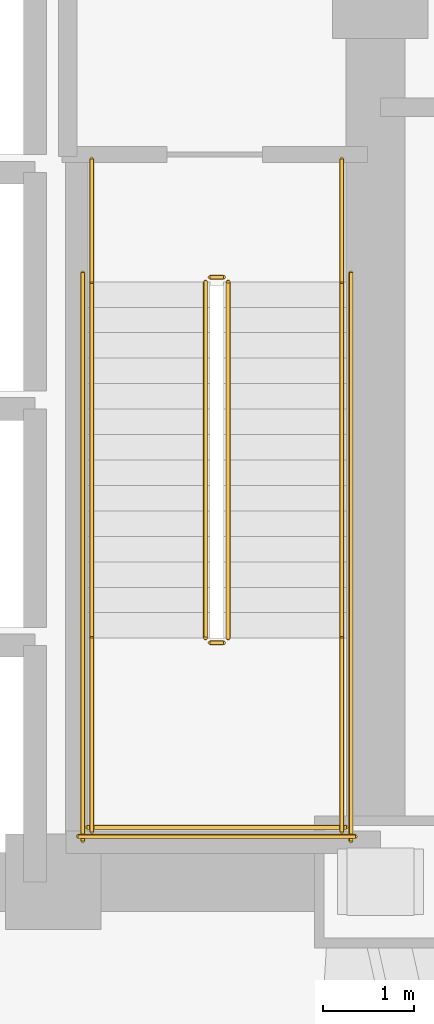
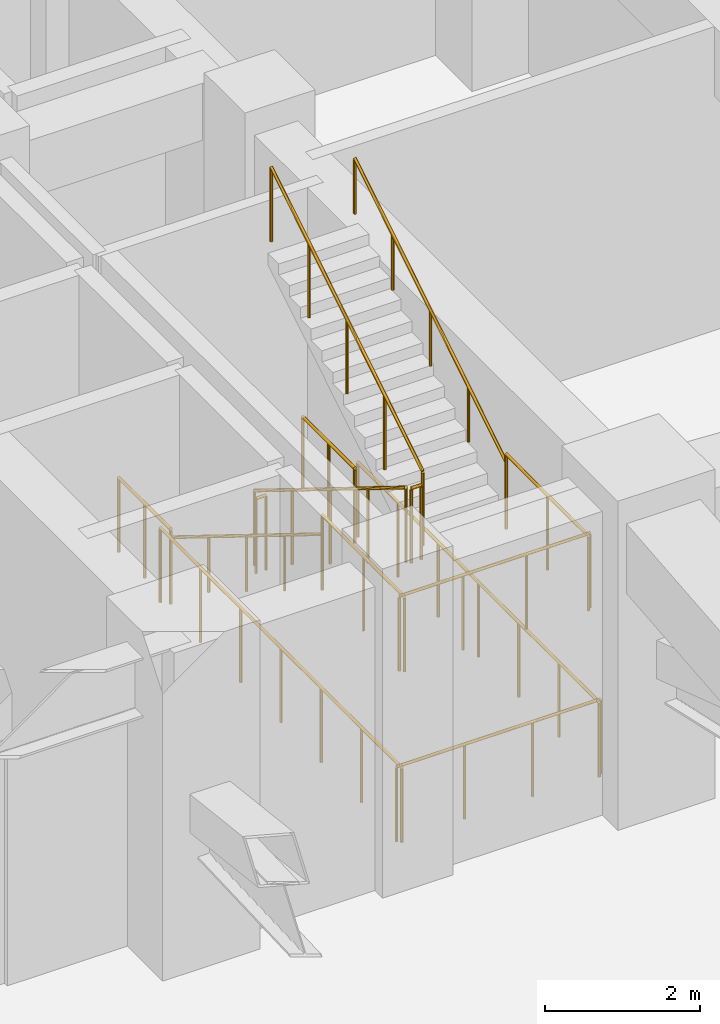
# One storey, part 9 of 9: 14 railings.
"""IFC4 building model written with IfcOpenShell, lengths in metres."""

import ifcopenshell
import ifcopenshell.guid

model = None  # the IFC model being written
_history = None  # IfcOwnerHistory: only IFC2X3 demands one
_inside = {}  # id of a spatial element -> (the spatial element, [elements in it])
_under = {}  # id of a project, library or spatial element -> (it, [spatial elements below it])
_declared = {}  # id of a project -> (the project, [libraries it declares])
_typed = {}  # id of a type object -> (the type object, [elements of that type])
_made_of = {}  # id of a material, layer set ... -> (it, [elements and type objects made of it])


def new_model(schema):
    """Start an empty IFC model of exactly this schema.

    Asked for "IFC4X3", IfcOpenShell would pick the latest addendum, in which some entities
    have other attributes; the version numbers below select the first issue.
    IFC2X3 requires an IfcOwnerHistory on every rooted entity: one is made here for all.
    """
    global model, _history
    if schema == "IFC4X3":
        model = ifcopenshell.file(schema_version=(4, 3, 0, 0))
    else:
        model = ifcopenshell.file(schema=schema)
    _inside.clear()
    _under.clear()
    _declared.clear()
    _typed.clear()
    _made_of.clear()
    _history = None
    if model.schema == "IFC2X3":
        org = make("IfcOrganization", Name="unknown")
        user = make(
            "IfcPersonAndOrganization",
            ThePerson=make("IfcPerson", FamilyName="unknown"),
            TheOrganization=org,
        )
        app = make(
            "IfcApplication",
            ApplicationDeveloper=org,
            Version="unknown",
            ApplicationFullName="unknown",
            ApplicationIdentifier="unknown",
        )
        _history = make(
            "IfcOwnerHistory",
            OwningUser=user,
            OwningApplication=app,
            ChangeAction="ADDED",
            CreationDate=0,
        )
    return model


def make(cls, **values):
    """One entity of the class cls with the attributes given. An attribute that is None is left unset."""
    return model.create_entity(
        cls, **{name: value for name, value in values.items() if value is not None}
    )


def rooted(cls, **values):
    """An entity with a GlobalId (a new one), such as an element, a storey or a relation."""
    return make(cls, GlobalId=ifcopenshell.guid.new(), OwnerHistory=_history, **values)


def si_unit(unit_type, name, prefix=None):
    """IfcSIUnit, for example si_unit("LENGTHUNIT", "METRE", prefix="MILLI")."""
    return make("IfcSIUnit", UnitType=unit_type, Prefix=prefix, Name=name)


def assignment(units):
    """IfcUnitAssignment: the units of a project."""
    return None if units is None else make("IfcUnitAssignment", Units=units)


def point(xyz):
    """IfcCartesianPoint."""
    return None if xyz is None else make("IfcCartesianPoint", Coordinates=xyz)


def direction(xyz):
    """IfcDirection."""
    return None if xyz is None else make("IfcDirection", DirectionRatios=xyz)


def frame(location, z_axis=None, x_axis=None):
    """IfcAxis2Placement3D, a coordinate frame: its origin and axes. An axis left out is left unset."""
    return make(
        "IfcAxis2Placement3D",
        Location=point(location),
        Axis=direction(z_axis),
        RefDirection=direction(x_axis),
    )


def frame_2d(location, x_axis=None):
    """IfcAxis2Placement2D, a coordinate frame in the plane: its origin and x axis."""
    return make(
        "IfcAxis2Placement2D", Location=point(location), RefDirection=direction(x_axis)
    )


def origin():
    """The frame at (0, 0, 0) with its axes left unset."""
    return frame((0.0, 0.0, 0.0))


def origin_2d():
    """The frame at (0, 0) in the plane with its x axis left unset."""
    return frame_2d((0.0, 0.0))


def place(relative_to, where):
    """IfcLocalPlacement: puts the frame where relative to a parent placement (None: the world)."""
    return make(
        "IfcLocalPlacement", PlacementRelTo=relative_to, RelativePlacement=where
    )


def context(
    kind, dimensions, precision=None, world=None, true_north=None, identifier=None
):
    """IfcGeometricRepresentationContext, for example the 3D "Model" context."""
    return make(
        "IfcGeometricRepresentationContext",
        ContextIdentifier=identifier,
        ContextType=kind,
        CoordinateSpaceDimension=dimensions,
        Precision=precision,
        WorldCoordinateSystem=world,
        TrueNorth=true_north,
    )


def subcontext(parent, identifier, kind, view, scale=None):
    """IfcGeometricRepresentationSubContext, for example "Body" below "Model"."""
    return make(
        "IfcGeometricRepresentationSubContext",
        ContextIdentifier=identifier,
        ContextType=kind,
        ParentContext=parent,
        TargetScale=scale,
        TargetView=view,
    )


def project(units=None, contexts=None):
    """IfcProject with its units and contexts."""
    return rooted(
        "IfcProject",
        Name="project",
        RepresentationContexts=contexts,
        UnitsInContext=assignment(units),
    )


def spatial(cls, under=None, at=None, **own):
    """A site, building, storey or space (cls), placed at a placement, below another one or the project."""
    s = rooted(cls, ObjectPlacement=at, **own)
    if under is not None:
        _under.setdefault(under.id(), (under, []))[1].append(s)
    return s


def profile(cls, at=None, kind="AREA", **sizes):
    """A parametric profile (cls). Its sizes go by their IFC names, for example OverallWidth=200.0."""
    return make(cls, ProfileType=kind, Position=at, **sizes)


def circle(**sizes):
    """IfcCircleProfileDef."""
    return profile("IfcCircleProfileDef", **sizes)


def extrude(swept, where, along, depth):
    """IfcExtrudedAreaSolid: the profile swept, set in the frame where, extruded along a direction by depth."""
    return make(
        "IfcExtrudedAreaSolid",
        SweptArea=swept,
        Position=where,
        ExtrudedDirection=direction(along),
        Depth=depth,
    )


def shape(context_of_items, identifier, shape_type, items):
    """IfcShapeRepresentation: the items that make up one representation, for example the "Body"."""
    return make(
        "IfcShapeRepresentation",
        ContextOfItems=context_of_items,
        RepresentationIdentifier=identifier,
        RepresentationType=shape_type,
        Items=items,
    )


def material(Name=None, Category=None):
    """IfcMaterial."""
    return make("IfcMaterial", Name=Name, Category=Category)


def made_of(thing, what):
    """Note that an element or type object is made of a material, layer set ...; save() writes the relation."""
    if what is not None:
        _made_of.setdefault(what.id(), (what, []))[1].append(thing)
    return thing


def type_object(cls, material=None, **own):
    """A type object (cls), such as IfcWallType, which elements share."""
    return made_of(rooted(cls, **own), material)


def element(
    cls,
    number,
    at=None,
    inside=None,
    cuts=None,
    type_object=None,
    material=None,
    context=None,
    identifier="Body",
    shape_type=None,
    held_by="IfcProductDefinitionShape",
    body=None,
    shapes=None,
    **own,
):
    """One element of the class cls, such as IfcWall. Its Tag is "e" and its number.

    at: its placement. inside: the storey or other place that contains it. cuts: it is an
    opening in that element (IfcRelVoidsElement). A single representation is given by context,
    identifier, shape_type and body (its items); several are given by shapes. held_by: the class
    of the entity that holds the representations. save() writes the other relations.
    """
    e = rooted(cls, Tag="e%d" % number, ObjectPlacement=at, **own)
    if body is not None:
        shapes = [shape(context, identifier, shape_type, body)]
    if shapes is not None:
        e.Representation = make(held_by, Representations=shapes)
    if inside is not None:
        _inside.setdefault(inside.id(), (inside, []))[1].append(e)
    if cuts is not None:
        rooted(
            "IfcRelVoidsElement", RelatingBuildingElement=cuts, RelatedOpeningElement=e
        )
    if type_object is not None:
        _typed.setdefault(type_object.id(), (type_object, []))[1].append(e)
    return made_of(e, material)


def aggregate(whole, parts):
    """IfcRelAggregates: a whole, such as a stair, and the parts it consists of."""
    return rooted("IfcRelAggregates", RelatingObject=whole, RelatedObjects=parts)


def save(model, path):
    """Write the relations noted so far, then the file.

    IfcRelAggregates (storeys below a building ...), IfcRelContainedInSpatialStructure (elements
    in a storey), IfcRelDefinesByType, IfcRelAssociatesMaterial and IfcRelDeclares: one each for
    every whole, place, type object, material and project.
    """
    for whole, parts in _under.values():
        aggregate(whole, parts)
    for where, things in _inside.values():
        rooted(
            "IfcRelContainedInSpatialStructure",
            RelatedElements=things,
            RelatingStructure=where,
        )
    for kind, things in _typed.values():
        rooted("IfcRelDefinesByType", RelatedObjects=things, RelatingType=kind)
    for what, things in _made_of.values():
        rooted("IfcRelAssociatesMaterial", RelatedObjects=things, RelatingMaterial=what)
    for by, libraries in _declared.values():
        rooted("IfcRelDeclares", RelatingContext=by, RelatedDefinitions=libraries)
    model.write(path)


model = new_model("IFC4")

# Units and contexts
model_context = context("Model", 3, precision=1e-05, world=origin(), true_north=direction((0.0, 1.0)))
body_context = subcontext(model_context, "Body", "Model", "MODEL_VIEW")
ifc_project = project(units=[si_unit("LENGTHUNIT", "METRE"), si_unit("AREAUNIT", "SQUARE_METRE"), si_unit("VOLUMEUNIT", "CUBIC_METRE"), si_unit("PLANEANGLEUNIT", "RADIAN"), si_unit("MASSUNIT", "GRAM", prefix="KILO")], contexts=[model_context])

# Site, building, storey
site_placement = place(None, origin())
site = spatial("IfcSite", under=ifc_project, at=site_placement, CompositionType="ELEMENT")
building_placement = place(site_placement, origin())
building = spatial("IfcBuilding", under=site, at=building_placement, Name="Voryun Gate Residences", CompositionType="ELEMENT")
storey_placement = place(building_placement, frame((0.0, 0.0, 80.60009765625)))
storey = spatial("IfcBuildingStorey", under=building, at=storey_placement, Name="L19", CompositionType="ELEMENT", Elevation=80.60009765625)

# Railings
ifc_material_1 = material(Name="Painted steel", Category="steel")
railing_type_1 = type_object("IfcRailingType", Name="RAIL_STAIR_GUARD_1200", PredefinedType="GUARDRAIL", material=ifc_material_1)
railing_1_placement = place(storey_placement, frame((17.27490234375, -0.800048828125, 0.17333984375)))
element("IfcRailing", 1, at=railing_1_placement, inside=storey, type_object=railing_type_1, Name="L19 ST-E1 stair guard 1", PredefinedType="GUARDRAIL", context=body_context, shape_type="SweptSolid", body=[
    extrude(circle(Radius=0.02392578125, at=origin_2d()), frame((0.0, 0.0, 1.17578125), z_axis=(0.0, -0.850275303828, 0.526338206574), x_axis=(1.0, 0.0, 0.0)), (0.0, 0.0, 1.0), 4.610107421875),
    extrude(circle(Radius=0.02099609375, at=origin_2d()), origin(), (0.0, 0.0, 1.0), 1.15185546875),
    extrude(circle(Radius=0.02099609375, at=origin_2d()), frame((0.0, -0.97998046875, 0.606689453125)), (0.0, 0.0, 1.0), 1.15185546875),
    extrude(circle(Radius=0.02099609375, at=origin_2d()), frame((0.0, -1.9599609375, 1.21337890625)), (0.0, 0.0, 1.0), 1.15185546875),
    extrude(circle(Radius=0.02099609375, at=origin_2d()), frame((0.0, -2.93994140625, 1.81982421875)), (0.0, 0.0, 1.0), 1.15185546875),
    extrude(circle(Radius=0.02099609375, at=origin_2d()), frame((0.0, -3.919921875, 2.426513671875)), (0.0, 0.0, 1.0), 1.15185546875),
])
railing_2_placement = place(storey_placement, frame((17.324951171875, -4.77001953125, 2.599853515625)))
element("IfcRailing", 2, at=railing_2_placement, inside=storey, type_object=railing_type_1, Name="L19 ST-E1 stair guard 2", PredefinedType="GUARDRAIL", context=body_context, shape_type="SweptSolid", body=[
    extrude(circle(Radius=0.02392578125, at=origin_2d()), frame((0.0, 0.0, 1.17578125), z_axis=(1.0, 0.0, 0.0), x_axis=(0.0, 1.0, 0.0)), (0.0, 0.0, 1.0), 0.150146484375),
    extrude(circle(Radius=0.02099609375, at=origin_2d()), origin(), (0.0, 0.0, 1.0), 1.15185546875),
    extrude(circle(Radius=0.02099609375, at=origin_2d()), frame((0.150146484375, 0.0, 0.0)), (0.0, 0.0, 1.0), 1.15185546875),
])
for number, where, name in (
    (3, (16.02490234375, -4.719970703125, 2.599853515625), "L19 ST-E1 stair guard 3"),
    (4, (18.77490234375, -4.719970703125, 2.599853515625), "L19 ST-E1 stair guard 4"),
):
    element("IfcRailing", number, at=place(storey_placement, frame(where)), inside=storey, type_object=railing_type_1, Name=name, PredefinedType="GUARDRAIL", context=body_context, shape_type="SweptSolid", body=[
        extrude(circle(Radius=0.02392578125, at=origin_2d()), frame((0.0, 0.0, 1.17578125), z_axis=(0.0, -1.0, 0.0), x_axis=(1.0, 0.0, 0.0)), (0.0, 0.0, 1.0), 2.130126953125),
        extrude(circle(Radius=0.02099609375, at=origin_2d()), origin(), (0.0, 0.0, 1.0), 1.15185546875),
        extrude(circle(Radius=0.02099609375, at=origin_2d()), frame((0.0, -1.06494140625, 0.0)), (0.0, 0.0, 1.0), 1.15185546875),
        extrude(circle(Radius=0.02099609375, at=origin_2d()), frame((0.0, -2.130126953125, 0.0)), (0.0, 0.0, 1.0), 1.15185546875),
    ])
railing_3_placement = place(storey_placement, frame((15.97509765625, -6.800048828125, 2.599853515625)))
element("IfcRailing", 5, at=railing_3_placement, inside=storey, type_object=railing_type_1, Name="L19 ST-E1 stair guard 5", PredefinedType="GUARDRAIL", context=body_context, shape_type="SweptSolid", body=[
    extrude(circle(Radius=0.02392578125, at=origin_2d()), frame((0.0, 0.0, 1.17578125), z_axis=(1.0, 0.0, 0.0), x_axis=(0.0, 1.0, 0.0)), (0.0, 0.0, 1.0), 2.849853515625),
    extrude(circle(Radius=0.02099609375, at=origin_2d()), origin(), (0.0, 0.0, 1.0), 1.15185546875),
    extrude(circle(Radius=0.02099609375, at=origin_2d()), frame((0.949951171875, 0.0, 0.0)), (0.0, 0.0, 1.0), 1.15185546875),
    extrude(circle(Radius=0.02099609375, at=origin_2d()), frame((1.89990234375, 0.0, 0.0)), (0.0, 0.0, 1.0), 1.15185546875),
    extrude(circle(Radius=0.02099609375, at=origin_2d()), frame((2.849853515625, 0.0, 0.0)), (0.0, 0.0, 1.0), 1.15185546875),
])
railing_4_placement = place(storey_placement, frame((17.52490234375, -4.719970703125, 2.773193359375)))
element("IfcRailing", 6, at=railing_4_placement, inside=storey, type_object=railing_type_1, Name="L19 ST-E1 stair guard 6", PredefinedType="GUARDRAIL", context=body_context, shape_type="SweptSolid", body=[
    extrude(circle(Radius=0.02392578125, at=origin_2d()), frame((0.0, 0.0, 1.17578125), z_axis=(0.0, 0.850251603719, 0.526376491091), x_axis=(-1.0, 0.0, 0.0)), (0.0, 0.0, 1.0), 4.6103515625),
    extrude(circle(Radius=0.02099609375, at=origin_2d()), origin(), (0.0, 0.0, 1.0), 1.15185546875),
    extrude(circle(Radius=0.02099609375, at=origin_2d()), frame((0.0, 0.97998046875, 0.606689453125)), (0.0, 0.0, 1.0), 1.15185546875),
    extrude(circle(Radius=0.02099609375, at=origin_2d()), frame((0.0, 1.9599609375, 1.21337890625)), (0.0, 0.0, 1.0), 1.15185546875),
    extrude(circle(Radius=0.02099609375, at=origin_2d()), frame((0.0, 2.93994140625, 1.820068359375)), (0.0, 0.0, 1.0), 1.15185546875),
    extrude(circle(Radius=0.02099609375, at=origin_2d()), frame((0.0, 3.919921875, 2.4267578125)), (0.0, 0.0, 1.0), 1.15185546875),
])
railing_5_placement = place(storey_placement, frame((17.324951171875, -0.75, 0.0)))
element("IfcRailing", 7, at=railing_5_placement, inside=storey, type_object=railing_type_1, Name="L19 ST-E1 stair guard 7", PredefinedType="GUARDRAIL", context=body_context, shape_type="SweptSolid", body=[
    extrude(circle(Radius=0.02392578125, at=origin_2d()), frame((0.0, 0.0, 1.17578125), z_axis=(1.0, 0.0, 0.0), x_axis=(0.0, 1.0, 0.0)), (0.0, 0.0, 1.0), 0.150146484375),
    extrude(circle(Radius=0.02099609375, at=origin_2d()), origin(), (0.0, 0.0, 1.0), 1.15185546875),
    extrude(circle(Radius=0.02099609375, at=origin_2d()), frame((0.150146484375, 0.0, 0.0)), (0.0, 0.0, 1.0), 1.15185546875),
])
for number, where, name in (
    (8, (16.02490234375, 0.550048828125, 0.0), "L19 ST-E1 stair guard 8"),
    (9, (18.77490234375, 0.550048828125, 0.0), "L19 ST-E1 stair guard 9"),
):
    element("IfcRailing", number, at=place(storey_placement, frame(where)), inside=storey, type_object=railing_type_1, Name=name, PredefinedType="GUARDRAIL", context=body_context, shape_type="SweptSolid", body=[
        extrude(circle(Radius=0.02392578125, at=origin_2d()), frame((0.0, 0.0, 1.17578125), z_axis=(0.0, -1.0, 0.0), x_axis=(1.0, 0.0, 0.0)), (0.0, 0.0, 1.0), 1.35009765625),
        extrude(circle(Radius=0.02099609375, at=origin_2d()), origin(), (0.0, 0.0, 1.0), 1.15185546875),
        extrude(circle(Radius=0.02099609375, at=origin_2d()), frame((0.0, -0.675048828125, 0.0)), (0.0, 0.0, 1.0), 1.15185546875),
        extrude(circle(Radius=0.02099609375, at=origin_2d()), frame((0.0, -1.35009765625, 0.0)), (0.0, 0.0, 1.0), 1.15185546875),
    ])
for number, where, name in (
    (10, (15.925048828125, -0.699951171875, 0.0), "L19 ST-E1 stair guard 10"),
    (11, (18.875, -0.699951171875, 0.0), "L19 ST-E1 stair guard 11"),
):
    element("IfcRailing", number, at=place(storey_placement, frame(where)), inside=storey, type_object=railing_type_1, Name=name, PredefinedType="GUARDRAIL", context=body_context, shape_type="SweptSolid", body=[
        extrude(circle(Radius=0.02392578125, at=origin_2d()), frame((0.0, 0.0, 1.17578125), z_axis=(0.0, -1.0, 0.0), x_axis=(1.0, 0.0, 0.0)), (0.0, 0.0, 1.0), 6.25),
        extrude(circle(Radius=0.02099609375, at=origin_2d()), origin(), (0.0, 0.0, 1.0), 1.15185546875),
        extrude(circle(Radius=0.02099609375, at=origin_2d()), frame((0.0, -1.041748046875, 0.0)), (0.0, 0.0, 1.0), 1.15185546875),
        extrude(circle(Radius=0.02099609375, at=origin_2d()), frame((0.0, -2.083251953125, 0.0)), (0.0, 0.0, 1.0), 1.15185546875),
        extrude(circle(Radius=0.02099609375, at=origin_2d()), frame((0.0, -3.125, 0.0)), (0.0, 0.0, 1.0), 1.15185546875),
        extrude(circle(Radius=0.02099609375, at=origin_2d()), frame((0.0, -4.166748046875, 0.0)), (0.0, 0.0, 1.0), 1.15185546875),
        extrude(circle(Radius=0.02099609375, at=origin_2d()), frame((0.0, -5.208251953125, 0.0)), (0.0, 0.0, 1.0), 1.15185546875),
        extrude(circle(Radius=0.02099609375, at=origin_2d()), frame((0.0, -6.25, 0.0)), (0.0, 0.0, 1.0), 1.15185546875),
    ])
railing_6_placement = place(storey_placement, frame((15.875, -6.89990234375, 0.0)))
element("IfcRailing", 12, at=railing_6_placement, inside=storey, type_object=railing_type_1, Name="L19 ST-E1 stair guard 12", PredefinedType="GUARDRAIL", context=body_context, shape_type="SweptSolid", body=[
    extrude(circle(Radius=0.02392578125, at=origin_2d()), frame((0.0, 0.0, 1.17578125), z_axis=(1.0, 0.0, 0.0), x_axis=(0.0, 1.0, 0.0)), (0.0, 0.0, 1.0), 3.050048828125),
    extrude(circle(Radius=0.02099609375, at=origin_2d()), origin(), (0.0, 0.0, 1.0), 1.15185546875),
    extrude(circle(Radius=0.02099609375, at=origin_2d()), frame((1.0166015625, 0.0, 0.0)), (0.0, 0.0, 1.0), 1.15185546875),
    extrude(circle(Radius=0.02099609375, at=origin_2d()), frame((2.033447265625, 0.0, 0.0)), (0.0, 0.0, 1.0), 1.15185546875),
    extrude(circle(Radius=0.02099609375, at=origin_2d()), frame((3.050048828125, 0.0, 0.0)), (0.0, 0.0, 1.0), 1.15185546875),
])
ifc_material_2 = material(Name="Painted steel", Category="steel")
railing_type_2 = type_object("IfcRailingType", Name="RAIL_STAIR_HANDRAIL_900", PredefinedType="HANDRAIL", material=ifc_material_2)
railing_7_placement = place(storey_placement, frame((16.02490234375, -0.800048828125, 0.17333984375)))
element("IfcRailing", 13, at=railing_7_placement, inside=storey, type_object=railing_type_2, Name="L19 ST-E1 stair handrail 1", PredefinedType="HANDRAIL", context=body_context, shape_type="SweptSolid", body=[
    extrude(circle(Radius=0.02392578125, at=origin_2d()), frame((0.0, 0.0, 0.8759765625), z_axis=(0.0, -0.850275303828, 0.526338206574), x_axis=(1.0, 0.0, 0.0)), (0.0, 0.0, 1.0), 4.610107421875),
    extrude(circle(Radius=0.02099609375, at=origin_2d()), origin(), (0.0, 0.0, 1.0), 0.851806640625),
    extrude(circle(Radius=0.02099609375, at=origin_2d()), frame((0.0, -0.97998046875, 0.606689453125)), (0.0, 0.0, 1.0), 0.851806640625),
    extrude(circle(Radius=0.02099609375, at=origin_2d()), frame((0.0, -1.9599609375, 1.21337890625)), (0.0, 0.0, 1.0), 0.851806640625),
    extrude(circle(Radius=0.02099609375, at=origin_2d()), frame((0.0, -2.93994140625, 1.81982421875)), (0.0, 0.0, 1.0), 0.851806640625),
    extrude(circle(Radius=0.02099609375, at=origin_2d()), frame((0.0, -3.919921875, 2.426513671875)), (0.0, 0.0, 1.0), 0.851806640625),
])
railing_8_placement = place(storey_placement, frame((18.77490234375, -4.719970703125, 2.773193359375)))
element("IfcRailing", 14, at=railing_8_placement, inside=storey, type_object=railing_type_2, Name="L19 ST-E1 stair handrail 2", PredefinedType="HANDRAIL", context=body_context, shape_type="SweptSolid", body=[
    extrude(circle(Radius=0.02392578125, at=origin_2d()), frame((0.0, 0.0, 0.8759765625), z_axis=(0.0, 0.850251603719, 0.526376491091), x_axis=(-1.0, 0.0, 0.0)), (0.0, 0.0, 1.0), 4.6103515625),
    extrude(circle(Radius=0.02099609375, at=origin_2d()), origin(), (0.0, 0.0, 1.0), 0.851806640625),
    extrude(circle(Radius=0.02099609375, at=origin_2d()), frame((0.0, 0.97998046875, 0.606689453125)), (0.0, 0.0, 1.0), 0.851806640625),
    extrude(circle(Radius=0.02099609375, at=origin_2d()), frame((0.0, 1.9599609375, 1.21337890625)), (0.0, 0.0, 1.0), 0.851806640625),
    extrude(circle(Radius=0.02099609375, at=origin_2d()), frame((0.0, 2.93994140625, 1.820068359375)), (0.0, 0.0, 1.0), 0.851806640625),
    extrude(circle(Radius=0.02099609375, at=origin_2d()), frame((0.0, 3.919921875, 2.4267578125)), (0.0, 0.0, 1.0), 0.851806640625),
])

save(model, "model.ifc")
